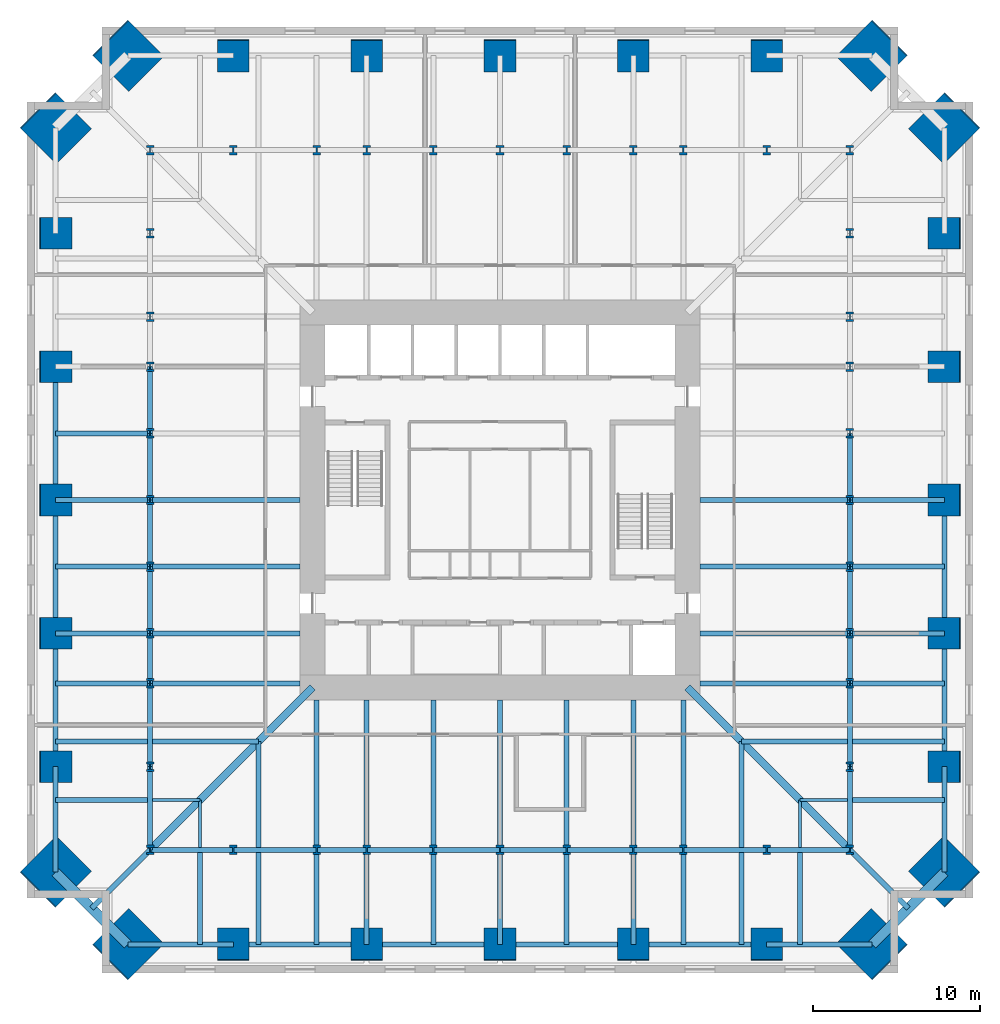
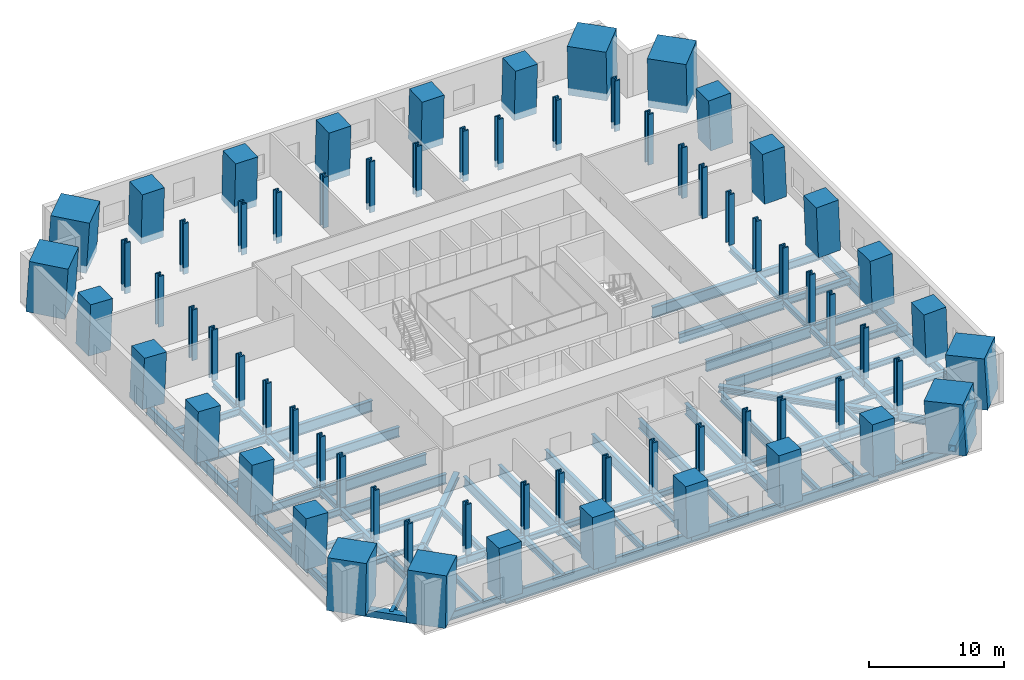
# One storey, part 1 of 8: 89 beams, 68 columns.
"""IFC4 building model written with IfcOpenShell, lengths in metres."""

from ifc_helpers import new_model, si_unit, direction, frame, origin, origin_2d, place, context, subcontext, project, spatial, rectangle, hollow_rectangle, i_section, extrude, material, material_profile, profile_set, type_object, element, save


model = new_model("IFC4")

# Units and contexts
model_context = context("Model", 3, precision=1e-05, world=origin(), true_north=direction((0.0, 1.0)))
body_context = subcontext(model_context, "Body", "Model", "MODEL_VIEW")
ifc_project = project(units=[si_unit("LENGTHUNIT", "METRE"), si_unit("AREAUNIT", "SQUARE_METRE"), si_unit("VOLUMEUNIT", "CUBIC_METRE"), si_unit("PLANEANGLEUNIT", "RADIAN"), si_unit("MASSUNIT", "GRAM", prefix="KILO")], contexts=[model_context])

# Site, building, storey
site_placement = place(None, origin())
site = spatial("IfcSite", under=ifc_project, at=site_placement, CompositionType="ELEMENT")
building_placement = place(site_placement, origin())
building = spatial("IfcBuilding", under=site, at=building_placement, Name="Peilmerk Tower", CompositionType="ELEMENT")
storey_placement = place(building_placement, frame((0.0, 0.0, 104.39990234375)))
storey = spatial("IfcBuildingStorey", under=building, at=storey_placement, Name="L20", CompositionType="ELEMENT", Elevation=104.39990234375)

# Columns
ifc_material_1 = material(Name="Concrete C90/105", Category="concrete")
ifc_material_profile_1 = material_profile(ifc_material_1, rectangle(XDim=3.0, YDim=3.0, at=origin_2d()), Name="RC 3000x3000")
ifc_profile_set_1 = profile_set([ifc_material_profile_1], Name="Concrete C90/105")
column_type_1 = type_object("IfcColumnType", Name="MC1 3000x3000 encased mega column", PredefinedType="COLUMN", material=ifc_profile_set_1)
for number, where, z_axis, x_axis, name in (
    (1, (22.337158203125, 26.68701171875, 0.0), (-0.040270042896, -0.040217055998, 0.998379142436), (0.706641119974, -0.707572135942, 0.0), "Mega column MC1 NE_N L20"),
    (2, (26.68701171875, 22.337158203125, 0.0), (-0.040217055998, -0.040270042896, 0.998379142436), (0.707572135942, -0.706641119974, 0.0), "Mega column MC1 NE_E L20"),
    (3, (26.68701171875, -22.337158203125, 0.0), (-0.040217055998, 0.040270042896, 0.998379142436), (-0.707572135942, -0.706641119974, 0.0), "Mega column MC1 SE_E L20"),
    (4, (22.337158203125, -26.68701171875, 0.0), (-0.040270042896, 0.040217055998, 0.998379142436), (-0.706641119974, -0.707572135942, 0.0), "Mega column MC1 SE_S L20"),
    (5, (-22.337158203125, -26.68701171875, 0.0), (0.040270042896, 0.040217055998, 0.998379142436), (-0.706641119974, 0.707572135942, 0.0), "Mega column MC1 SW_S L20"),
    (6, (-26.68701171875, -22.337158203125, 0.0), (0.040217055998, 0.040270042896, 0.998379142436), (-0.707572135942, 0.706641119974, 0.0), "Mega column MC1 SW_W L20"),
    (7, (-26.68701171875, 22.337158203125, 0.0), (0.040217055998, -0.040270042896, 0.998379142436), (0.707572135942, 0.706641119974, 0.0), "Mega column MC1 NW_W L20"),
    (8, (-22.337158203125, 26.68701171875, 0.0), (0.040270042896, -0.040217055998, 0.998379142436), (0.706641119974, 0.707572135942, 0.0), "Mega column MC1 NW_N L20"),
):
    element("IfcColumn", number, at=place(storey_placement, frame(where, z_axis=z_axis, x_axis=x_axis)), inside=storey, type_object=column_type_1, Name=name, PredefinedType="COLUMN", context=body_context, shape_type="SweptSolid", body=[
        extrude(rectangle(XDim=3.0, YDim=3.0, at=origin_2d()), origin(), (0.0, 0.0, 1.0), 4.607666015625),
    ])
ifc_material_profile_2 = material_profile(ifc_material_1, rectangle(XDim=1.89990234375, YDim=1.89990234375, at=origin_2d()), Name="RC 1900x1900")
ifc_profile_set_2 = profile_set([ifc_material_profile_2], Name="Concrete C90/105")
column_type_2 = type_object("IfcColumnType", Name="SC5 1900x1900 encased perimeter column", PredefinedType="COLUMN", material=ifc_profile_set_2)
for number, where, z_axis, x_axis, name in (
    (9, (0.0, 26.68701171875, 0.0), (0.0, -0.040249705237, 0.999189652282), (1.0, 0.0, 0.0), "Perimeter column N+0 L20"),
    (10, (8.0, 26.68701171875, 0.0), (0.0, -0.040249705237, 0.999189652282), (1.0, 0.0, 0.0), "Perimeter column N-8 L20"),
    (11, (-8.0, 26.68701171875, 0.0), (0.0, -0.040249705237, 0.999189652282), (1.0, 0.0, 0.0), "Perimeter column N+8 L20"),
    (12, (16.0, 26.68701171875, 0.0), (0.0, -0.040249705237, 0.999189652282), (1.0, 0.0, 0.0), "Perimeter column N-16 L20"),
    (13, (-16.0, 26.68701171875, 0.0), (0.0, -0.040249705237, 0.999189652282), (1.0, 0.0, 0.0), "Perimeter column N+16 L20"),
    (14, (26.68701171875, 0.0, 0.0), (-0.040249705237, 0.0, 0.999189652282), (0.0, -1.0, 0.0), "Perimeter column E+0 L20"),
    (15, (26.68701171875, -8.0, 0.0), (-0.040249705237, 0.0, 0.999189652282), (0.0, -1.0, 0.0), "Perimeter column E-8 L20"),
    (16, (26.68701171875, 8.0, 0.0), (-0.040249705237, 0.0, 0.999189652282), (0.0, -1.0, 0.0), "Perimeter column E+8 L20"),
    (17, (26.68701171875, -16.0, 0.0), (-0.040249705237, 0.0, 0.999189652282), (0.0, -1.0, 0.0), "Perimeter column E-16 L20"),
    (18, (26.68701171875, 16.0, 0.0), (-0.040249705237, 0.0, 0.999189652282), (0.0, -1.0, 0.0), "Perimeter column E+16 L20"),
    (19, (0.0, -26.68701171875, 0.0), (0.0, 0.040249705237, 0.999189652282), (-1.0, 0.0, 0.0), "Perimeter column S+0 L20"),
    (20, (-8.0, -26.68701171875, 0.0), (0.0, 0.040249705237, 0.999189652282), (-1.0, 0.0, 0.0), "Perimeter column S-8 L20"),
    (21, (8.0, -26.68701171875, 0.0), (0.0, 0.040249705237, 0.999189652282), (-1.0, 0.0, 0.0), "Perimeter column S+8 L20"),
    (22, (-16.0, -26.68701171875, 0.0), (0.0, 0.040249705237, 0.999189652282), (-1.0, 0.0, 0.0), "Perimeter column S-16 L20"),
    (23, (16.0, -26.68701171875, 0.0), (0.0, 0.040249705237, 0.999189652282), (-1.0, 0.0, 0.0), "Perimeter column S+16 L20"),
    (24, (-26.68701171875, 0.0, 0.0), (0.040249705237, 0.0, 0.999189652282), (0.0, 1.0, 0.0), "Perimeter column W+0 L20"),
    (25, (-26.68701171875, 8.0, 0.0), (0.040249705237, 0.0, 0.999189652282), (0.0, 1.0, 0.0), "Perimeter column W-8 L20"),
    (26, (-26.68701171875, -8.0, 0.0), (0.040249705237, 0.0, 0.999189652282), (0.0, 1.0, 0.0), "Perimeter column W+8 L20"),
    (27, (-26.68701171875, 16.0, 0.0), (0.040249705237, 0.0, 0.999189652282), (0.0, 1.0, 0.0), "Perimeter column W-16 L20"),
    (28, (-26.68701171875, -16.0, 0.0), (0.040249705237, 0.0, 0.999189652282), (0.0, 1.0, 0.0), "Perimeter column W+16 L20"),
):
    element("IfcColumn", number, at=place(storey_placement, frame(where, z_axis=z_axis, x_axis=x_axis)), inside=storey, type_object=column_type_2, Name=name, PredefinedType="COLUMN", context=body_context, shape_type="SweptSolid", body=[
        extrude(rectangle(XDim=1.89990234375, YDim=1.89990234375, at=origin_2d()), origin(), (0.0, 0.0, 1.0), 4.603759765625),
    ])
ifc_material_2 = material(Name="Steel S460", Category="steel")
ifc_material_profile_3 = material_profile(ifc_material_2, i_section(OverallWidth=0.4541015625, OverallDepth=0.569091796875, WebThickness=0.077880859375, FlangeThickness=0.125, at=origin_2d()), Name="HD 400x1086")
ifc_profile_set_3 = profile_set([ifc_material_profile_3], Name="Steel S460")
column_type_3 = type_object("IfcColumnType", Name="SC6 HD 400x1086 interior column", PredefinedType="COLUMN", material=ifc_profile_set_3)
for number, where, z_axis, x_axis, name in (
    (29, (0.0, 21.0, 0.0), (0.0, 0.0, 1.0), (1.0, 0.0, 0.0), "Interior column N+0 L20"),
    (30, (4.0, 21.0, 0.0), (0.0, 0.0, 1.0), (1.0, 0.0, 0.0), "Interior column N-4 L20"),
    (31, (-4.0, 21.0, 0.0), (0.0, 0.0, 1.0), (1.0, 0.0, 0.0), "Interior column N+4 L20"),
    (32, (8.0, 21.0, 0.0), (0.0, 0.0, 1.0), (1.0, 0.0, 0.0), "Interior column N-8 L20"),
    (33, (-8.0, 21.0, 0.0), (0.0, 0.0, 1.0), (1.0, 0.0, 0.0), "Interior column N+8 L20"),
    (34, (11.0, 21.0, 0.0), (0.0, 0.0, 1.0), (1.0, 0.0, 0.0), "Interior column N-11 L20"),
    (35, (-11.0, 21.0, 0.0), (0.0, 0.0, 1.0), (1.0, 0.0, 0.0), "Interior column N+11 L20"),
    (36, (16.0, 21.0, 0.0), (0.0, 0.0, 1.0), (1.0, 0.0, 0.0), "Interior column N-16 L20"),
    (37, (-16.0, 21.0, 0.0), (0.0, 0.0, 1.0), (1.0, 0.0, 0.0), "Interior column N+16 L20"),
    (38, (21.0, 0.0, 0.0), (0.0, 0.0, 1.0), (1.0, 0.0, 0.0), "Interior column E+0 L20"),
    (39, (21.0, -4.0, 0.0), (0.0, 0.0, 1.0), (1.0, 0.0, 0.0), "Interior column E-4 L20"),
    (40, (21.0, 4.0, 0.0), (0.0, 0.0, 1.0), (1.0, 0.0, 0.0), "Interior column E+4 L20"),
    (41, (21.0, -8.0, 0.0), (0.0, 0.0, 1.0), (1.0, 0.0, 0.0), "Interior column E-8 L20"),
    (42, (21.0, 8.0, 0.0), (0.0, 0.0, 1.0), (1.0, 0.0, 0.0), "Interior column E+8 L20"),
    (43, (21.0, -11.0, 0.0), (0.0, 0.0, 1.0), (1.0, 0.0, 0.0), "Interior column E-11 L20"),
    (44, (21.0, 11.0, 0.0), (0.0, 0.0, 1.0), (1.0, 0.0, 0.0), "Interior column E+11 L20"),
    (45, (21.0, -16.0, 0.0), (0.0, 0.0, 1.0), (1.0, 0.0, 0.0), "Interior column E-16 L20"),
    (46, (21.0, 16.0, 0.0), (0.0, 0.0, 1.0), (1.0, 0.0, 0.0), "Interior column E+16 L20"),
    (47, (0.0, -21.0, 0.0), (0.0, 0.0, 1.0), (1.0, 0.0, 0.0), "Interior column S+0 L20"),
    (48, (-4.0, -21.0, 0.0), (0.0, 0.0, 1.0), (1.0, 0.0, 0.0), "Interior column S-4 L20"),
    (49, (4.0, -21.0, 0.0), (0.0, 0.0, 1.0), (1.0, 0.0, 0.0), "Interior column S+4 L20"),
    (50, (-8.0, -21.0, 0.0), (0.0, 0.0, 1.0), (1.0, 0.0, 0.0), "Interior column S-8 L20"),
    (51, (8.0, -21.0, 0.0), (0.0, 0.0, 1.0), (1.0, 0.0, 0.0), "Interior column S+8 L20"),
    (52, (-11.0, -21.0, 0.0), (0.0, 0.0, 1.0), (1.0, 0.0, 0.0), "Interior column S-11 L20"),
    (53, (11.0, -21.0, 0.0), (0.0, 0.0, 1.0), (1.0, 0.0, 0.0), "Interior column S+11 L20"),
    (54, (-16.0, -21.0, 0.0), (0.0, 0.0, 1.0), (1.0, 0.0, 0.0), "Interior column S-16 L20"),
    (55, (16.0, -21.0, 0.0), (0.0, 0.0, 1.0), (1.0, 0.0, 0.0), "Interior column S+16 L20"),
    (56, (-21.0, 0.0, 0.0), (0.0, 0.0, 1.0), (1.0, 0.0, 0.0), "Interior column W+0 L20"),
    (57, (-21.0, 4.0, 0.0), (0.0, 0.0, 1.0), (1.0, 0.0, 0.0), "Interior column W-4 L20"),
    (58, (-21.0, -4.0, 0.0), (0.0, 0.0, 1.0), (1.0, 0.0, 0.0), "Interior column W+4 L20"),
    (59, (-21.0, 8.0, 0.0), (0.0, 0.0, 1.0), (1.0, 0.0, 0.0), "Interior column W-8 L20"),
    (60, (-21.0, -8.0, 0.0), (0.0, 0.0, 1.0), (1.0, 0.0, 0.0), "Interior column W+8 L20"),
    (61, (-21.0, 11.0, 0.0), (0.0, 0.0, 1.0), (1.0, 0.0, 0.0), "Interior column W-11 L20"),
    (62, (-21.0, -11.0, 0.0), (0.0, 0.0, 1.0), (1.0, 0.0, 0.0), "Interior column W+11 L20"),
    (63, (-21.0, 16.0, 0.0), (0.0, 0.0, 1.0), (1.0, 0.0, 0.0), "Interior column W-16 L20"),
    (64, (-21.0, -16.0, 0.0), (0.0, 0.0, 1.0), (1.0, 0.0, 0.0), "Interior column W+16 L20"),
    (65, (21.0, 21.0, 0.0), (0.0, 0.0, 1.0), (1.0, 0.0, 0.0), "Interior column NE L20"),
    (66, (21.0, -21.0, 0.0), (0.0, 0.0, 1.0), (1.0, 0.0, 0.0), "Interior column SE L20"),
    (67, (-21.0, -21.0, 0.0), (0.0, 0.0, 1.0), (1.0, 0.0, 0.0), "Interior column SW L20"),
    (68, (-21.0, 21.0, 0.0), (0.0, 0.0, 1.0), (1.0, 0.0, 0.0), "Interior column NW L20"),
):
    element("IfcColumn", number, at=place(storey_placement, frame(where, z_axis=z_axis, x_axis=x_axis)), inside=storey, type_object=column_type_3, Name=name, PredefinedType="COLUMN", context=body_context, shape_type="SweptSolid", body=[
        extrude(i_section(OverallWidth=0.4541015625, OverallDepth=0.569091796875, WebThickness=0.077880859375, FlangeThickness=0.125, at=origin_2d()), origin(), (0.0, 0.0, 1.0), 4.60009765625),
    ])

# Beams
ifc_material_3 = material(Name="Steel S355", Category="steel")
ifc_material_profile_4 = material_profile(ifc_material_3, i_section(OverallWidth=0.300048828125, OverallDepth=0.68994140625, WebThickness=0.014404296875, FlangeThickness=0.027099609375, at=origin_2d()), Name="HEA 700")
ifc_profile_set_4 = profile_set([ifc_material_profile_4], Name="Steel S355")
beam_type_1 = type_object("IfcBeamType", Name="B16 HEA 700 floor beam", PredefinedType="BEAM", material=ifc_profile_set_4)
for number, where, z_axis, x_axis, name in (
    (69, (21.0, -8.0, -0.544921875), (1.0, 0.0, 0.0), (0.0, 1.0, 0.0), "Floor girder L20"),
    (70, (21.0, 0.0, -0.544921875), (1.0, 0.0, 0.0), (0.0, 1.0, 0.0), "Floor girder L20"),
    (71, (-8.0, -21.0, -0.544921875), (0.0, -1.0, 0.0), (1.0, 0.0, 0.0), "Floor girder L20"),
    (72, (0.0, -21.0, -0.544921875), (0.0, -1.0, 0.0), (1.0, 0.0, 0.0), "Floor girder L20"),
    (73, (8.0, -21.0, -0.544921875), (0.0, -1.0, 0.0), (1.0, 0.0, 0.0), "Floor girder L20"),
    (74, (-21.0, 0.0, -0.544921875), (-1.0, 0.0, 0.0), (0.0, -1.0, 0.0), "Floor girder L20"),
    (75, (-21.0, -8.0, -0.544921875), (-1.0, 0.0, 0.0), (0.0, -1.0, 0.0), "Floor girder L20"),
):
    element("IfcBeam", number, at=place(storey_placement, frame(where, z_axis=z_axis, x_axis=x_axis)), inside=storey, type_object=beam_type_1, Name=name, PredefinedType="BEAM", context=body_context, shape_type="SweptSolid", body=[
        extrude(i_section(OverallWidth=0.300048828125, OverallDepth=0.68994140625, WebThickness=0.014404296875, FlangeThickness=0.027099609375, at=origin_2d()), origin(), (0.0, 0.0, 1.0), 5.68701171875),
    ])
for number, where, z_axis, x_axis, name in (
    (76, (21.0, -21.0, -0.544921875), (0.707106781187, -0.707106781187, 0.0), (0.707106781187, 0.707106781187, 0.0), "Corner girder L20"),
    (77, (-21.0, -21.0, -0.544921875), (-0.707106781187, -0.707106781187, 0.0), (0.707106781187, -0.707106781187, 0.0), "Corner girder L20"),
):
    element("IfcBeam", number, at=place(storey_placement, frame(where, z_axis=z_axis, x_axis=x_axis)), inside=storey, type_object=beam_type_1, Name=name, PredefinedType="BEAM", context=body_context, shape_type="SweptSolid", body=[
        extrude(i_section(OverallWidth=0.300048828125, OverallDepth=0.68994140625, WebThickness=0.014404296875, FlangeThickness=0.027099609375, at=origin_2d()), origin(), (0.0, 0.0, 1.0), 4.967041015625),
    ])
ifc_material_profile_5 = material_profile(ifc_material_3, i_section(OverallWidth=0.303955078125, OverallDepth=0.716064453125, WebThickness=0.02099609375, FlangeThickness=0.0400390625, at=origin_2d()), Name="HEM 700")
ifc_profile_set_5 = profile_set([ifc_material_profile_5], Name="Steel S355")
beam_type_2 = type_object("IfcBeamType", Name="B19 HEM 700 ring girder", PredefinedType="BEAM", material=ifc_profile_set_5)
for number, where, z_axis, x_axis, name in (
    (78, (21.0, -21.0, -0.557861328125), (0.0, 1.0, 0.0), (-1.0, 0.0, 0.0), "Ring girder L20"),
    (79, (21.0, -16.0, -0.557861328125), (0.0, 1.0, 0.0), (-1.0, 0.0, 0.0), "Ring girder L20"),
    (80, (-21.0, -21.0, -0.557861328125), (1.0, 0.0, 0.0), (0.0, 1.0, 0.0), "Ring girder L20"),
    (81, (-16.0, -21.0, -0.557861328125), (1.0, 0.0, 0.0), (0.0, 1.0, 0.0), "Ring girder L20"),
    (82, (11.0, -21.0, -0.557861328125), (1.0, 0.0, 0.0), (0.0, 1.0, 0.0), "Ring girder L20"),
    (83, (16.0, -21.0, -0.557861328125), (1.0, 0.0, 0.0), (0.0, 1.0, 0.0), "Ring girder L20"),
    (84, (-21.0, -11.0, -0.557861328125), (0.0, -1.0, 0.0), (1.0, 0.0, 0.0), "Ring girder L20"),
    (85, (-21.0, -16.0, -0.557861328125), (0.0, -1.0, 0.0), (1.0, 0.0, 0.0), "Ring girder L20"),
):
    element("IfcBeam", number, at=place(storey_placement, frame(where, z_axis=z_axis, x_axis=x_axis)), inside=storey, type_object=beam_type_2, Name=name, PredefinedType="BEAM", context=body_context, shape_type="SweptSolid", body=[
        extrude(i_section(OverallWidth=0.303955078125, OverallDepth=0.716064453125, WebThickness=0.02099609375, FlangeThickness=0.0400390625, at=origin_2d()), origin(), (0.0, 0.0, 1.0), 5.0),
    ])
ifc_material_profile_6 = material_profile(ifc_material_3, i_section(OverallWidth=0.302001953125, OverallDepth=0.909912109375, WebThickness=0.02099609375, FlangeThickness=0.0400390625, at=origin_2d()), Name="HEM 900")
ifc_profile_set_6 = profile_set([ifc_material_profile_6], Name="Steel S355")
beam_type_3 = type_object("IfcBeamType", Name="B2 HEM 900 edge beam", PredefinedType="SPANDREL", material=ifc_profile_set_6)
for number, where, z_axis, x_axis, name in (
    (86, (26.68701171875, -16.0, -0.65478515625), (0.0, 1.0, 0.0), (-1.0, 0.0, 0.0), "Edge beam L20"),
    (87, (26.68701171875, -8.0, -0.65478515625), (0.0, 1.0, 0.0), (-1.0, 0.0, 0.0), "Edge beam L20"),
    (88, (-16.0, -26.68701171875, -0.65478515625), (1.0, 0.0, 0.0), (0.0, 1.0, 0.0), "Edge beam L20"),
    (89, (-8.0, -26.68701171875, -0.65478515625), (1.0, 0.0, 0.0), (0.0, 1.0, 0.0), "Edge beam L20"),
    (90, (0.0, -26.68701171875, -0.65478515625), (1.0, 0.0, 0.0), (0.0, 1.0, 0.0), "Edge beam L20"),
    (91, (8.0, -26.68701171875, -0.65478515625), (1.0, 0.0, 0.0), (0.0, 1.0, 0.0), "Edge beam L20"),
    (92, (-26.68701171875, 8.0, -0.65478515625), (0.0, -1.0, 0.0), (1.0, 0.0, 0.0), "Edge beam L20"),
    (93, (-26.68701171875, 0.0, -0.65478515625), (0.0, -1.0, 0.0), (1.0, 0.0, 0.0), "Edge beam L20"),
    (94, (-26.68701171875, -8.0, -0.65478515625), (0.0, -1.0, 0.0), (1.0, 0.0, 0.0), "Edge beam L20"),
):
    element("IfcBeam", number, at=place(storey_placement, frame(where, z_axis=z_axis, x_axis=x_axis)), inside=storey, type_object=beam_type_3, Name=name, PredefinedType="SPANDREL", context=body_context, shape_type="SweptSolid", body=[
        extrude(i_section(OverallWidth=0.302001953125, OverallDepth=0.909912109375, WebThickness=0.02099609375, FlangeThickness=0.0400390625, at=origin_2d()), origin(), (0.0, 0.0, 1.0), 8.0),
    ])
ifc_material_profile_7 = material_profile(ifc_material_2, hollow_rectangle(XDim=0.60009765625, YDim=0.60009765625, WallThickness=0.06005859375, at=origin_2d()), Name="BOX 600x600x60")
ifc_profile_set_7 = profile_set([ifc_material_profile_7], Name="Steel S460")
beam_type_4 = type_object("IfcBeamType", Name="B20 BOX 600x600x60 notch beam", PredefinedType="SPANDREL", material=ifc_profile_set_7)
for number, where, z_axis, x_axis, name in (
    (95, (26.68701171875, -22.337158203125, -0.5), (-0.707106781187, -0.707106781187, 0.0), (0.707106781187, -0.707106781187, 0.0), "Notch beam L20"),
    (96, (-22.337158203125, -26.68701171875, -0.5), (-0.707106781187, 0.707106781187, 0.0), (-0.707106781187, -0.707106781187, 0.0), "Notch beam L20"),
):
    element("IfcBeam", number, at=place(storey_placement, frame(where, z_axis=z_axis, x_axis=x_axis)), inside=storey, type_object=beam_type_4, Name=name, PredefinedType="SPANDREL", context=body_context, shape_type="SweptSolid", body=[
        extrude(hollow_rectangle(XDim=0.60009765625, YDim=0.60009765625, WallThickness=0.06005859375, at=origin_2d()), origin(), (0.0, 0.0, 1.0), 6.151611328125),
    ])
ifc_material_profile_8 = material_profile(ifc_material_3, i_section(OverallWidth=0.302001953125, OverallDepth=1.008056640625, WebThickness=0.02099609375, FlangeThickness=0.0400390625, at=origin_2d()), Name="HEM 1000")
ifc_profile_set_8 = profile_set([ifc_material_profile_8], Name="Steel S355")
beam_type_5 = type_object("IfcBeamType", Name="B24 HEM 1000 floor girder", PredefinedType="BEAM", material=ifc_profile_set_8)
for number, where, z_axis, x_axis, name in (
    (97, (12.0, -8.0, -0.703857421875), (1.0, 0.0, 0.0), (0.0, 1.0, 0.0), "Floor girder L20"),
    (98, (12.0, 0.0, -0.703857421875), (1.0, 0.0, 0.0), (0.0, 1.0, 0.0), "Floor girder L20"),
    (99, (-8.0, -12.0, -0.703857421875), (0.0, -1.0, 0.0), (1.0, 0.0, 0.0), "Floor girder L20"),
    (100, (0.0, -12.0, -0.703857421875), (0.0, -1.0, 0.0), (1.0, 0.0, 0.0), "Floor girder L20"),
    (101, (8.0, -12.0, -0.703857421875), (0.0, -1.0, 0.0), (1.0, 0.0, 0.0), "Floor girder L20"),
    (102, (-12.0, 0.0, -0.703857421875), (-1.0, 0.0, 0.0), (0.0, -1.0, 0.0), "Floor girder L20"),
    (103, (-12.0, -8.0, -0.703857421875), (-1.0, 0.0, 0.0), (0.0, -1.0, 0.0), "Floor girder L20"),
):
    element("IfcBeam", number, at=place(storey_placement, frame(where, z_axis=z_axis, x_axis=x_axis)), inside=storey, type_object=beam_type_5, Name=name, PredefinedType="BEAM", context=body_context, shape_type="SweptSolid", body=[
        extrude(i_section(OverallWidth=0.302001953125, OverallDepth=1.008056640625, WebThickness=0.02099609375, FlangeThickness=0.0400390625, at=origin_2d()), origin(), (0.0, 0.0, 1.0), 9.0),
    ])
ifc_material_profile_9 = material_profile(ifc_material_3, i_section(OverallWidth=0.300048828125, OverallDepth=0.590087890625, WebThickness=0.012939453125, FlangeThickness=0.02490234375, at=origin_2d()), Name="HEA 600")
ifc_profile_set_9 = profile_set([ifc_material_profile_9], Name="Steel S355")
beam_type_6 = type_object("IfcBeamType", Name="B27 HEA 600 floor beam", PredefinedType="BEAM", material=ifc_profile_set_9)
for number, where, z_axis, x_axis, name in (
    (104, (21.0, -11.0, -0.494873046875), (1.0, 0.0, 0.0), (0.0, 1.0, 0.0), "Floor beam L20"),
    (105, (21.0, -4.0, -0.494873046875), (1.0, 0.0, 0.0), (0.0, 1.0, 0.0), "Floor beam L20"),
    (106, (-11.0, -21.0, -0.494873046875), (0.0, -1.0, 0.0), (1.0, 0.0, 0.0), "Floor beam L20"),
    (107, (-4.0, -21.0, -0.494873046875), (0.0, -1.0, 0.0), (1.0, 0.0, 0.0), "Floor beam L20"),
    (108, (4.0, -21.0, -0.494873046875), (0.0, -1.0, 0.0), (1.0, 0.0, 0.0), "Floor beam L20"),
    (109, (11.0, -21.0, -0.494873046875), (0.0, -1.0, 0.0), (1.0, 0.0, 0.0), "Floor beam L20"),
    (110, (-21.0, 4.0, -0.494873046875), (-1.0, 0.0, 0.0), (0.0, -1.0, 0.0), "Floor beam L20"),
    (111, (-21.0, -4.0, -0.494873046875), (-1.0, 0.0, 0.0), (0.0, -1.0, 0.0), "Floor beam L20"),
    (112, (-21.0, -11.0, -0.494873046875), (-1.0, 0.0, 0.0), (0.0, -1.0, 0.0), "Floor beam L20"),
):
    element("IfcBeam", number, at=place(storey_placement, frame(where, z_axis=z_axis, x_axis=x_axis)), inside=storey, type_object=beam_type_6, Name=name, PredefinedType="BEAM", context=body_context, shape_type="SweptSolid", body=[
        extrude(i_section(OverallWidth=0.300048828125, OverallDepth=0.590087890625, WebThickness=0.012939453125, FlangeThickness=0.02490234375, at=origin_2d()), origin(), (0.0, 0.0, 1.0), 5.68701171875),
    ])
for number, where, z_axis, x_axis, name in (
    (113, (14.5, -14.5, -0.494873046875), (0.0, -1.0, 0.0), (1.0, 0.0, 0.0), "Floor beam L20"),
    (114, (14.5, -14.5, -0.494873046875), (1.0, 0.0, 0.0), (0.0, 1.0, 0.0), "Floor beam L20"),
    (115, (-14.5, -14.5, -0.494873046875), (0.0, -1.0, 0.0), (1.0, 0.0, 0.0), "Floor beam L20"),
    (116, (-14.5, -14.5, -0.494873046875), (-1.0, 0.0, 0.0), (0.0, -1.0, 0.0), "Floor beam L20"),
):
    element("IfcBeam", number, at=place(storey_placement, frame(where, z_axis=z_axis, x_axis=x_axis)), inside=storey, type_object=beam_type_6, Name=name, PredefinedType="BEAM", context=body_context, shape_type="SweptSolid", body=[
        extrude(i_section(OverallWidth=0.300048828125, OverallDepth=0.590087890625, WebThickness=0.012939453125, FlangeThickness=0.02490234375, at=origin_2d()), origin(), (0.0, 0.0, 1.0), 6.347900390625),
    ])
ifc_material_profile_10 = material_profile(ifc_material_3, i_section(OverallWidth=0.179931640625, OverallDepth=0.39990234375, WebThickness=0.008544921875, FlangeThickness=0.013427734375, at=origin_2d()), Name="IPE 400")
ifc_profile_set_10 = profile_set([ifc_material_profile_10], Name="Steel S355")
beam_type_7 = type_object("IfcBeamType", Name="B28 IPE 400 floor beam", PredefinedType="BEAM", material=ifc_profile_set_10)
for number, where, z_axis, x_axis, name in (
    (117, (18.0, -18.0, -0.39990234375), (0.0, -1.0, 0.0), (1.0, 0.0, 0.0), "Floor beam L20"),
    (118, (18.0, -18.0, -0.39990234375), (1.0, 0.0, 0.0), (0.0, 1.0, 0.0), "Floor beam L20"),
    (119, (-18.0, -18.0, -0.39990234375), (0.0, -1.0, 0.0), (1.0, 0.0, 0.0), "Floor beam L20"),
    (120, (-18.0, -18.0, -0.39990234375), (-1.0, 0.0, 0.0), (0.0, -1.0, 0.0), "Floor beam L20"),
):
    element("IfcBeam", number, at=place(storey_placement, frame(where, z_axis=z_axis, x_axis=x_axis)), inside=storey, type_object=beam_type_7, Name=name, PredefinedType="BEAM", context=body_context, shape_type="SweptSolid", body=[
        extrude(i_section(OverallWidth=0.179931640625, OverallDepth=0.39990234375, WebThickness=0.008544921875, FlangeThickness=0.013427734375, at=origin_2d()), origin(), (0.0, 0.0, 1.0), 2.847900390625),
    ])
ifc_material_profile_11 = material_profile(ifc_material_3, i_section(OverallWidth=0.300048828125, OverallDepth=0.489990234375, WebThickness=0.011962890625, FlangeThickness=0.02294921875, at=origin_2d()), Name="HEA 500")
ifc_profile_set_11 = profile_set([ifc_material_profile_11], Name="Steel S355")
beam_type_8 = type_object("IfcBeamType", Name="B29 HEA 500 floor beam", PredefinedType="BEAM", material=ifc_profile_set_11)
for number, where, z_axis, x_axis, name in (
    (121, (14.5, -21.152099609375, -0.44482421875), (0.0, -1.0, 0.0), (1.0, 0.0, 0.0), "Floor beam L20"),
    (122, (21.152099609375, -14.5, -0.44482421875), (1.0, 0.0, 0.0), (0.0, 1.0, 0.0), "Floor beam L20"),
    (123, (18.0, -21.152099609375, -0.44482421875), (0.0, -1.0, 0.0), (1.0, 0.0, 0.0), "Floor beam L20"),
    (124, (21.152099609375, -18.0, -0.44482421875), (1.0, 0.0, 0.0), (0.0, 1.0, 0.0), "Floor beam L20"),
    (125, (-14.5, -21.152099609375, -0.44482421875), (0.0, -1.0, 0.0), (1.0, 0.0, 0.0), "Floor beam L20"),
    (126, (-21.152099609375, -14.5, -0.44482421875), (-1.0, 0.0, 0.0), (0.0, -1.0, 0.0), "Floor beam L20"),
    (127, (-18.0, -21.152099609375, -0.44482421875), (0.0, -1.0, 0.0), (1.0, 0.0, 0.0), "Floor beam L20"),
    (128, (-21.152099609375, -18.0, -0.44482421875), (-1.0, 0.0, 0.0), (0.0, -1.0, 0.0), "Floor beam L20"),
):
    element("IfcBeam", number, at=place(storey_placement, frame(where, z_axis=z_axis, x_axis=x_axis)), inside=storey, type_object=beam_type_8, Name=name, PredefinedType="BEAM", context=body_context, shape_type="SweptSolid", body=[
        extrude(i_section(OverallWidth=0.300048828125, OverallDepth=0.489990234375, WebThickness=0.011962890625, FlangeThickness=0.02294921875, at=origin_2d()), origin(), (0.0, 0.0, 1.0), 5.534912109375),
    ])
ifc_material_profile_12 = material_profile(ifc_material_3, i_section(OverallWidth=0.303955078125, OverallDepth=0.716064453125, WebThickness=0.02099609375, FlangeThickness=0.0400390625, at=origin_2d()), Name="HEM 700")
ifc_profile_set_12 = profile_set([ifc_material_profile_12], Name="Steel S355")
beam_type_9 = type_object("IfcBeamType", Name="B30 HEM 700 edge beam", PredefinedType="SPANDREL", material=ifc_profile_set_12)
for number, where, z_axis, x_axis, name in (
    (129, (26.68701171875, -22.337158203125, -0.557861328125), (0.0, 1.0, 0.0), (-1.0, 0.0, 0.0), "Edge beam L20"),
    (130, (-22.337158203125, -26.68701171875, -0.557861328125), (1.0, 0.0, 0.0), (0.0, 1.0, 0.0), "Edge beam L20"),
    (131, (16.0, -26.68701171875, -0.557861328125), (1.0, 0.0, 0.0), (0.0, 1.0, 0.0), "Edge beam L20"),
    (132, (-26.68701171875, -16.0, -0.557861328125), (0.0, -1.0, 0.0), (1.0, 0.0, 0.0), "Edge beam L20"),
):
    element("IfcBeam", number, at=place(storey_placement, frame(where, z_axis=z_axis, x_axis=x_axis)), inside=storey, type_object=beam_type_9, Name=name, PredefinedType="SPANDREL", context=body_context, shape_type="SweptSolid", body=[
        extrude(i_section(OverallWidth=0.303955078125, OverallDepth=0.716064453125, WebThickness=0.02099609375, FlangeThickness=0.0400390625, at=origin_2d()), origin(), (0.0, 0.0, 1.0), 6.337158203125),
    ])
ifc_material_profile_13 = material_profile(ifc_material_3, i_section(OverallWidth=0.300048828125, OverallDepth=0.889892578125, WebThickness=0.01611328125, FlangeThickness=0.030029296875, at=origin_2d()), Name="HEA 900")
ifc_profile_set_13 = profile_set([ifc_material_profile_13], Name="Steel S355")
beam_type_10 = type_object("IfcBeamType", Name="B4 HEA 900 floor beam", PredefinedType="BEAM", material=ifc_profile_set_13)
for number, where, z_axis, x_axis, name in (
    (133, (12.0, -11.0, -0.64501953125), (1.0, 0.0, 0.0), (0.0, 1.0, 0.0), "Floor beam L20"),
    (134, (12.0, -4.0, -0.64501953125), (1.0, 0.0, 0.0), (0.0, 1.0, 0.0), "Floor beam L20"),
    (135, (-11.0, -12.0, -0.64501953125), (0.0, -1.0, 0.0), (1.0, 0.0, 0.0), "Floor beam L20"),
    (136, (-4.0, -12.0, -0.64501953125), (0.0, -1.0, 0.0), (1.0, 0.0, 0.0), "Floor beam L20"),
    (137, (4.0, -12.0, -0.64501953125), (0.0, -1.0, 0.0), (1.0, 0.0, 0.0), "Floor beam L20"),
    (138, (11.0, -12.0, -0.64501953125), (0.0, -1.0, 0.0), (1.0, 0.0, 0.0), "Floor beam L20"),
    (139, (-12.0, -4.0, -0.64501953125), (-1.0, 0.0, 0.0), (0.0, -1.0, 0.0), "Floor beam L20"),
    (140, (-12.0, -11.0, -0.64501953125), (-1.0, 0.0, 0.0), (0.0, -1.0, 0.0), "Floor beam L20"),
):
    element("IfcBeam", number, at=place(storey_placement, frame(where, z_axis=z_axis, x_axis=x_axis)), inside=storey, type_object=beam_type_10, Name=name, PredefinedType="BEAM", context=body_context, shape_type="SweptSolid", body=[
        extrude(i_section(OverallWidth=0.300048828125, OverallDepth=0.889892578125, WebThickness=0.01611328125, FlangeThickness=0.030029296875, at=origin_2d()), origin(), (0.0, 0.0, 1.0), 9.0),
    ])
ifc_material_profile_14 = material_profile(ifc_material_3, i_section(OverallWidth=0.305908203125, OverallDepth=0.52392578125, WebThickness=0.02099609375, FlangeThickness=0.0400390625, at=origin_2d()), Name="HEM 500")
ifc_profile_set_14 = profile_set([ifc_material_profile_14], Name="Steel S355")
beam_type_11 = type_object("IfcBeamType", Name="B7 HEM 500 ring girder", PredefinedType="BEAM", material=ifc_profile_set_14)
beam_1_placement = place(storey_placement, frame((21.0, -11.0, -0.4619140625), z_axis=(0.0, 1.0, 0.0), x_axis=(-1.0, 0.0, 0.0)))
element("IfcBeam", 141, at=beam_1_placement, inside=storey, type_object=beam_type_11, Name="Ring girder L20", PredefinedType="BEAM", context=body_context, shape_type="SweptSolid", body=[
    extrude(i_section(OverallWidth=0.305908203125, OverallDepth=0.52392578125, WebThickness=0.02099609375, FlangeThickness=0.0400390625, at=origin_2d()), origin(), (0.0, 0.0, 1.0), 3.0),
])
for number, where, z_axis, x_axis, name in (
    (142, (21.0, -8.0, -0.4619140625), (0.0, 1.0, 0.0), (-1.0, 0.0, 0.0), "Ring girder L20"),
    (143, (21.0, -4.0, -0.4619140625), (0.0, 1.0, 0.0), (-1.0, 0.0, 0.0), "Ring girder L20"),
    (144, (21.0, 0.0, -0.4619140625), (0.0, 1.0, 0.0), (-1.0, 0.0, 0.0), "Ring girder L20"),
):
    element("IfcBeam", number, at=place(storey_placement, frame(where, z_axis=z_axis, x_axis=x_axis)), inside=storey, type_object=beam_type_11, Name=name, PredefinedType="BEAM", context=body_context, shape_type="SweptSolid", body=[
        extrude(i_section(OverallWidth=0.305908203125, OverallDepth=0.52392578125, WebThickness=0.02099609375, FlangeThickness=0.0400390625, at=origin_2d()), origin(), (0.0, 0.0, 1.0), 4.0),
    ])
beam_2_placement = place(storey_placement, frame((-11.0, -21.0, -0.4619140625), z_axis=(1.0, 0.0, 0.0), x_axis=(0.0, 1.0, 0.0)))
element("IfcBeam", 145, at=beam_2_placement, inside=storey, type_object=beam_type_11, Name="Ring girder L20", PredefinedType="BEAM", context=body_context, shape_type="SweptSolid", body=[
    extrude(i_section(OverallWidth=0.305908203125, OverallDepth=0.52392578125, WebThickness=0.02099609375, FlangeThickness=0.0400390625, at=origin_2d()), origin(), (0.0, 0.0, 1.0), 3.0),
])
for number, where, z_axis, x_axis, name in (
    (146, (-8.0, -21.0, -0.4619140625), (1.0, 0.0, 0.0), (0.0, 1.0, 0.0), "Ring girder L20"),
    (147, (-4.0, -21.0, -0.4619140625), (1.0, 0.0, 0.0), (0.0, 1.0, 0.0), "Ring girder L20"),
    (148, (0.0, -21.0, -0.4619140625), (1.0, 0.0, 0.0), (0.0, 1.0, 0.0), "Ring girder L20"),
    (149, (4.0, -21.0, -0.4619140625), (1.0, 0.0, 0.0), (0.0, 1.0, 0.0), "Ring girder L20"),
):
    element("IfcBeam", number, at=place(storey_placement, frame(where, z_axis=z_axis, x_axis=x_axis)), inside=storey, type_object=beam_type_11, Name=name, PredefinedType="BEAM", context=body_context, shape_type="SweptSolid", body=[
        extrude(i_section(OverallWidth=0.305908203125, OverallDepth=0.52392578125, WebThickness=0.02099609375, FlangeThickness=0.0400390625, at=origin_2d()), origin(), (0.0, 0.0, 1.0), 4.0),
    ])
beam_3_placement = place(storey_placement, frame((8.0, -21.0, -0.4619140625), z_axis=(1.0, 0.0, 0.0), x_axis=(0.0, 1.0, 0.0)))
element("IfcBeam", 150, at=beam_3_placement, inside=storey, type_object=beam_type_11, Name="Ring girder L20", PredefinedType="BEAM", context=body_context, shape_type="SweptSolid", body=[
    extrude(i_section(OverallWidth=0.305908203125, OverallDepth=0.52392578125, WebThickness=0.02099609375, FlangeThickness=0.0400390625, at=origin_2d()), origin(), (0.0, 0.0, 1.0), 3.0),
])
for number, where, z_axis, x_axis, name in (
    (151, (-21.0, 8.0, -0.4619140625), (0.0, -1.0, 0.0), (1.0, 0.0, 0.0), "Ring girder L20"),
    (152, (-21.0, 4.0, -0.4619140625), (0.0, -1.0, 0.0), (1.0, 0.0, 0.0), "Ring girder L20"),
    (153, (-21.0, 0.0, -0.4619140625), (0.0, -1.0, 0.0), (1.0, 0.0, 0.0), "Ring girder L20"),
    (154, (-21.0, -4.0, -0.4619140625), (0.0, -1.0, 0.0), (1.0, 0.0, 0.0), "Ring girder L20"),
):
    element("IfcBeam", number, at=place(storey_placement, frame(where, z_axis=z_axis, x_axis=x_axis)), inside=storey, type_object=beam_type_11, Name=name, PredefinedType="BEAM", context=body_context, shape_type="SweptSolid", body=[
        extrude(i_section(OverallWidth=0.305908203125, OverallDepth=0.52392578125, WebThickness=0.02099609375, FlangeThickness=0.0400390625, at=origin_2d()), origin(), (0.0, 0.0, 1.0), 4.0),
    ])
beam_4_placement = place(storey_placement, frame((-21.0, -8.0, -0.4619140625), z_axis=(0.0, -1.0, 0.0), x_axis=(1.0, 0.0, 0.0)))
element("IfcBeam", 155, at=beam_4_placement, inside=storey, type_object=beam_type_11, Name="Ring girder L20", PredefinedType="BEAM", context=body_context, shape_type="SweptSolid", body=[
    extrude(i_section(OverallWidth=0.305908203125, OverallDepth=0.52392578125, WebThickness=0.02099609375, FlangeThickness=0.0400390625, at=origin_2d()), origin(), (0.0, 0.0, 1.0), 3.0),
])
ifc_material_profile_15 = material_profile(ifc_material_2, i_section(OverallWidth=0.4541015625, OverallDepth=0.569091796875, WebThickness=0.077880859375, FlangeThickness=0.125, at=origin_2d()), Name="HD 400x1086")
ifc_profile_set_15 = profile_set([ifc_material_profile_15], Name="Steel S460")
beam_type_12 = type_object("IfcBeamType", Name="B9 HD 400x1086 corner girder", PredefinedType="BEAM", material=ifc_profile_set_15)
for number, where, z_axis, x_axis, name in (
    (156, (11.25, -11.25, -0.484375), (0.707106781187, -0.707106781187, 0.0), (0.707106781187, 0.707106781187, 0.0), "Corner girder L20"),
    (157, (-11.25, -11.25, -0.484375), (-0.707106781187, -0.707106781187, 0.0), (0.707106781187, -0.707106781187, 0.0), "Corner girder L20"),
):
    element("IfcBeam", number, at=place(storey_placement, frame(where, z_axis=z_axis, x_axis=x_axis)), inside=storey, type_object=beam_type_12, Name=name, PredefinedType="BEAM", context=body_context, shape_type="SweptSolid", body=[
        extrude(i_section(OverallWidth=0.4541015625, OverallDepth=0.569091796875, WebThickness=0.077880859375, FlangeThickness=0.125, at=origin_2d()), origin(), (0.0, 0.0, 1.0), 13.78857421875),
    ])

save(model, "model.ifc")
